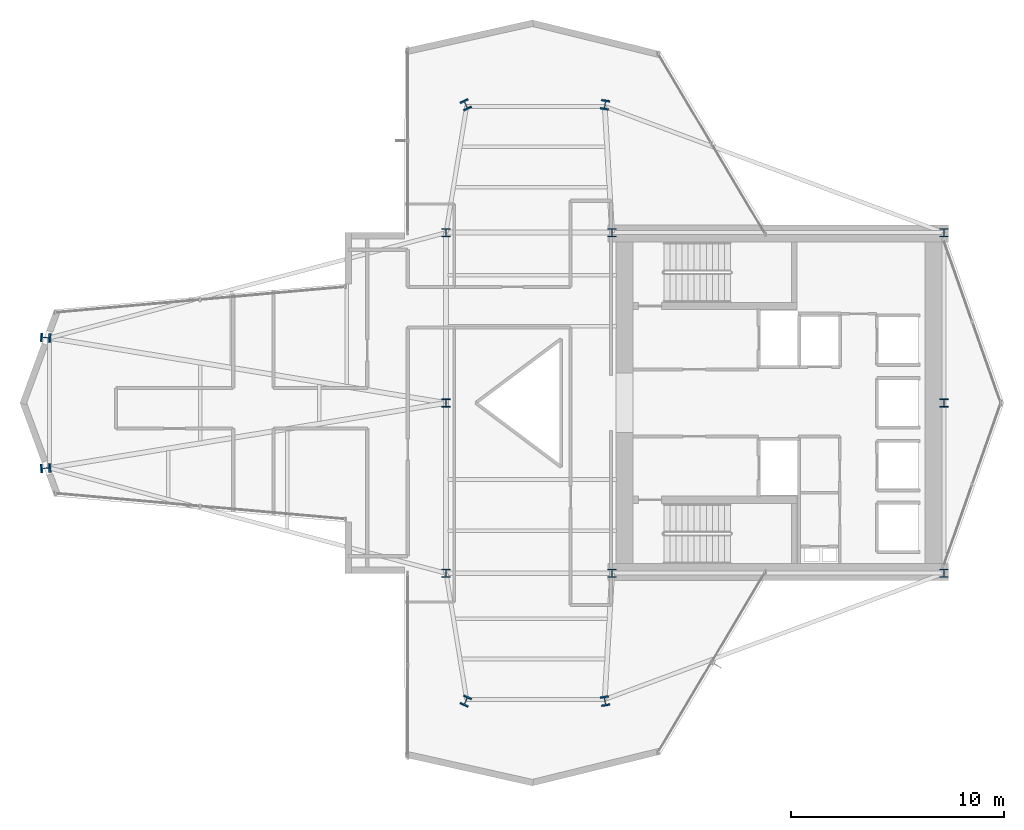
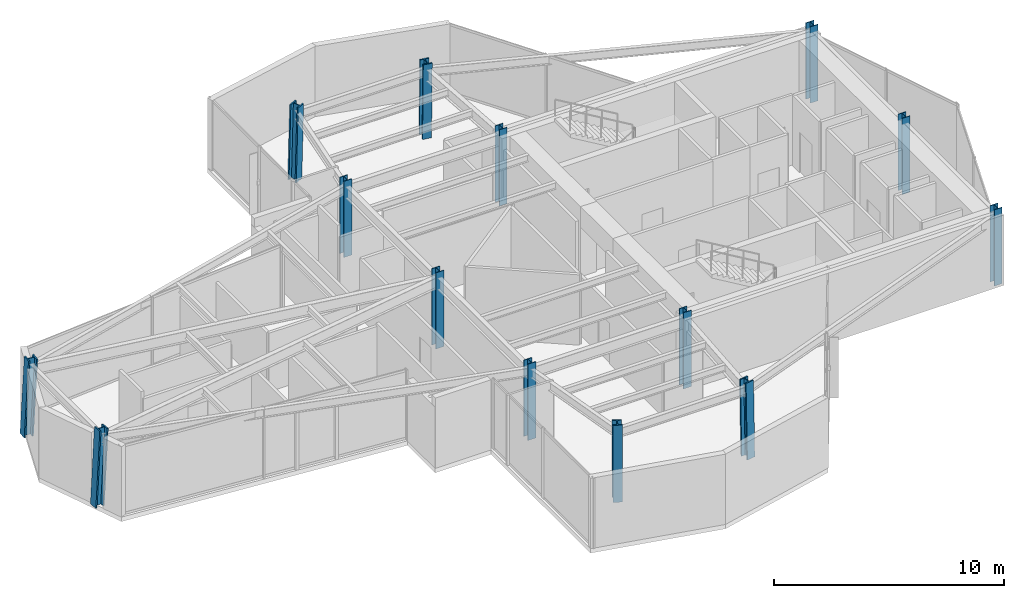
# One storey, part 1 of 23: 14 columns.
"""IFC4 building model written with IfcOpenShell, lengths in metres."""

from ifc_helpers import new_model, si_unit, direction, frame, origin, origin_2d, place, context, subcontext, project, spatial, i_section, extrude, material, material_profile, profile_set, type_object, element, save


model = new_model("IFC4")

# Units and contexts
model_context = context("Model", 3, precision=1e-05, world=origin(), true_north=direction((0.0, 1.0)))
body_context = subcontext(model_context, "Body", "Model", "MODEL_VIEW")
ifc_project = project(units=[si_unit("LENGTHUNIT", "METRE"), si_unit("AREAUNIT", "SQUARE_METRE"), si_unit("VOLUMEUNIT", "CUBIC_METRE"), si_unit("PLANEANGLEUNIT", "RADIAN"), si_unit("MASSUNIT", "GRAM", prefix="KILO")], contexts=[model_context])

# Site, building, storey
site_placement = place(None, origin())
site = spatial("IfcSite", under=ifc_project, at=site_placement, CompositionType="ELEMENT")
building_placement = place(site_placement, origin())
building = spatial("IfcBuilding", under=site, at=building_placement, Name="Veymaron Broadcast Tower", CompositionType="ELEMENT")
storey_placement = place(building_placement, frame((0.0, 0.0, 177.60009765625)))
storey = spatial("IfcBuildingStorey", under=building, at=storey_placement, Name="L41", CompositionType="ELEMENT", Elevation=177.60009765625)

# Columns
ifc_material_1 = material(Name="Structural steel ASTM A992 Gr 50", Category="steel")
ifc_material_profile_1 = material_profile(ifc_material_1, i_section(OverallWidth=0.39794921875, OverallDepth=0.386962890625, WebThickness=0.02099609375, FlangeThickness=0.033203125, at=origin_2d()), Name="W360X262")
ifc_profile_set_1 = profile_set([ifc_material_profile_1], Name="Structural steel ASTM A992 Gr 50")
column_type_1 = type_object("IfcColumnType", Name="COL-HC2", PredefinedType="COLUMN", material=ifc_profile_set_1)
for number, where, z_axis, x_axis, name in (
    (1, (31.199951171875, 16.0, 0.0), (0.0, 0.0, 1.0), (1.0, 0.0, 0.0), "L41 structural hub and core column"),
    (2, (31.199951171875, 24.0, 0.0), (0.0, 0.0, 1.0), (1.0, 0.0, 0.0), "L41 structural hub and core column"),
    (3, (31.199951171875, 32.0, 0.0), (0.0, 0.0, 1.0), (1.0, 0.0, 0.0), "L41 structural hub and core column"),
    (4, (39.0, 16.0, 0.0), (0.0, 0.0, 1.0), (1.0, 0.0, 0.0), "L41 structural hub and core column"),
    (5, (39.0, 32.0, 0.0), (0.0, 0.0, 1.0), (1.0, 0.0, 0.0), "L41 structural hub and core column"),
    (6, (54.60009765625, 16.0, 0.0), (0.0, 0.0, 1.0), (1.0, 0.0, 0.0), "L41 structural hub and core column"),
    (7, (54.60009765625, 24.0, 0.0), (0.0, 0.0, 1.0), (1.0, 0.0, 0.0), "L41 structural hub and core column"),
    (8, (54.60009765625, 32.0, 0.0), (0.0, 0.0, 1.0), (1.0, 0.0, 0.0), "L41 structural hub and core column"),
):
    element("IfcColumn", number, at=place(storey_placement, frame(where, z_axis=z_axis, x_axis=x_axis)), inside=storey, type_object=column_type_1, Name=name, PredefinedType="COLUMN", context=body_context, shape_type="SweptSolid", body=[
        extrude(i_section(OverallWidth=0.39794921875, OverallDepth=0.386962890625, WebThickness=0.02099609375, FlangeThickness=0.033203125, at=origin_2d()), origin(), (0.0, 0.0, 1.0), 4.0439453125),
    ])
ifc_material_2 = material(Name="Structural steel ASTM A913 Gr 65", Category="steel")
ifc_material_profile_2 = material_profile(ifc_material_2, i_section(OverallWidth=0.41796875, OverallDepth=0.455078125, WebThickness=0.0419921875, FlangeThickness=0.067626953125, at=origin_2d()), Name="W360X551")
ifc_profile_set_2 = profile_set([ifc_material_profile_2], Name="Structural steel ASTM A913 Gr 65")
column_type_2 = type_object("IfcColumnType", Name="COL-MC2", PredefinedType="COLUMN", material=ifc_profile_set_2)
for number, where, z_axis, x_axis, name in (
    (9, (12.35400390625, 20.929931640625, 0.015869140625), (0.051456470587, 0.003762147614, 0.998668152031), (-0.072918572693, 0.997337897483, 0.0), "L41 Tapered Wing Mega Column"),
    (10, (12.35400390625, 27.070068359375, 0.015869140625), (0.051456470587, -0.003762147614, 0.998668152031), (0.072918572693, 0.997337897483, 0.0), "L41 Tapered Wing Mega Column"),
):
    element("IfcColumn", number, at=place(storey_placement, frame(where, z_axis=z_axis, x_axis=x_axis)), inside=storey, type_object=column_type_2, Name=name, PredefinedType="COLUMN", context=body_context, shape_type="SweptSolid", body=[
        extrude(i_section(OverallWidth=0.41796875, OverallDepth=0.455078125, WebThickness=0.0419921875, FlangeThickness=0.067626953125, at=origin_2d()), origin(), (0.0, 0.0, 1.0), 4.0234375),
    ])
column_1_placement = place(storey_placement, frame((32.1240234375, 38.02001953125, 0.015869140625), z_axis=(0.010447648562, -0.022413850693, 0.999694186207), x_axis=(0.906371306068, 0.422482018004, 0.0)))
element("IfcColumn", 11, at=column_1_placement, inside=storey, type_object=column_type_2, Name="L41 Tapered Wing Mega Column", PredefinedType="COLUMN", context=body_context, shape_type="SweptSolid", body=[
    extrude(i_section(OverallWidth=0.41796875, OverallDepth=0.455078125, WebThickness=0.0419921875, FlangeThickness=0.067626953125, at=origin_2d()), origin(), (0.0, 0.0, 1.0), 4.019287109375),
])
column_2_placement = place(storey_placement, frame((38.669921875, 38.02001953125, 0.015869140625), z_axis=(-0.00370544751, -0.022414920183, 0.999741887195), x_axis=(0.986609855888, -0.163098106258, 0.0)))
element("IfcColumn", 12, at=column_2_placement, inside=storey, type_object=column_type_2, Name="L41 Tapered Wing Mega Column", PredefinedType="COLUMN", context=body_context, shape_type="SweptSolid", body=[
    extrude(i_section(OverallWidth=0.41796875, OverallDepth=0.455078125, WebThickness=0.0419921875, FlangeThickness=0.067626953125, at=origin_2d()), origin(), (0.0, 0.0, 1.0), 4.01904296875),
])
column_3_placement = place(storey_placement, frame((32.1240234375, 9.97998046875, 0.015869140625), z_axis=(0.010447648562, 0.022413850693, 0.999694186207), x_axis=(-0.906371306068, 0.422482018004, 0.0)))
element("IfcColumn", 13, at=column_3_placement, inside=storey, type_object=column_type_2, Name="L41 Tapered Wing Mega Column", PredefinedType="COLUMN", context=body_context, shape_type="SweptSolid", body=[
    extrude(i_section(OverallWidth=0.41796875, OverallDepth=0.455078125, WebThickness=0.0419921875, FlangeThickness=0.067626953125, at=origin_2d()), origin(), (0.0, 0.0, 1.0), 4.019287109375),
])
column_4_placement = place(storey_placement, frame((38.669921875, 9.97998046875, 0.015869140625), z_axis=(-0.00370544751, 0.022414920183, 0.999741887195), x_axis=(-0.986609855888, -0.163098106258, 0.0)))
element("IfcColumn", 14, at=column_4_placement, inside=storey, type_object=column_type_2, Name="L41 Tapered Wing Mega Column", PredefinedType="COLUMN", context=body_context, shape_type="SweptSolid", body=[
    extrude(i_section(OverallWidth=0.41796875, OverallDepth=0.455078125, WebThickness=0.0419921875, FlangeThickness=0.067626953125, at=origin_2d()), origin(), (0.0, 0.0, 1.0), 4.01904296875),
])

save(model, "model.ifc")
